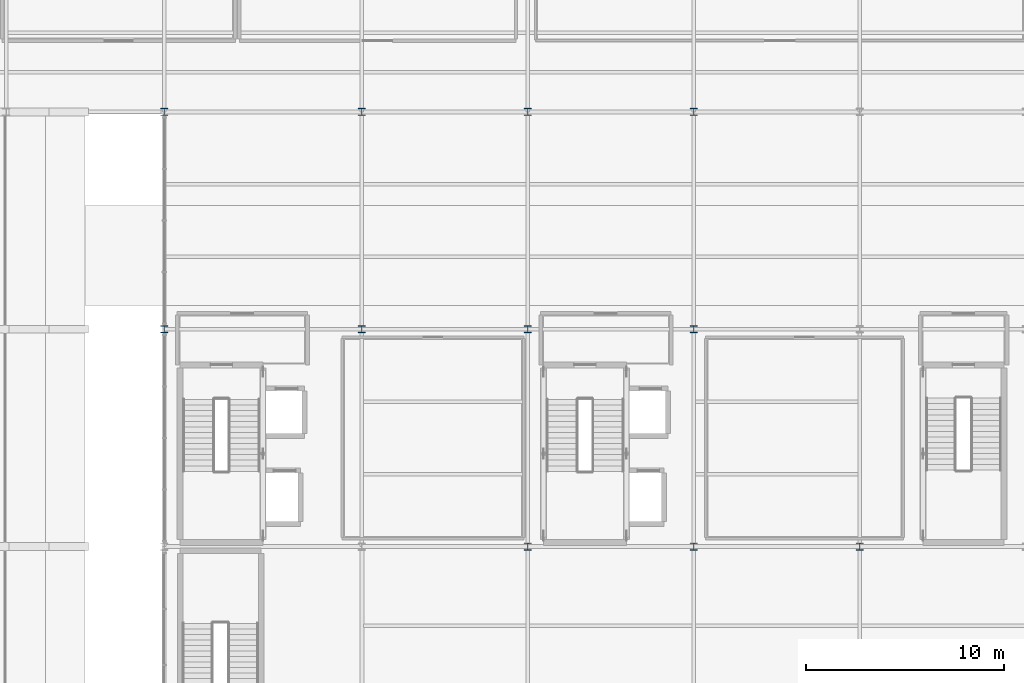
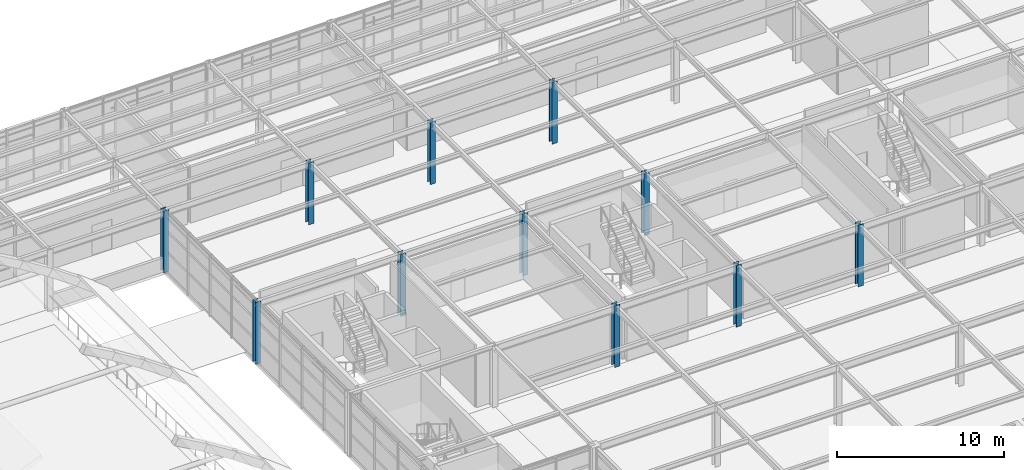
# One storey, part 9 of 82: 11 columns.
"""IFC4 building model written with IfcOpenShell, lengths in metres."""

import ifcopenshell
import ifcopenshell.guid

model = None  # the IFC model being written
_history = None  # IfcOwnerHistory: only IFC2X3 demands one
_inside = {}  # id of a spatial element -> (the spatial element, [elements in it])
_under = {}  # id of a project, library or spatial element -> (it, [spatial elements below it])
_declared = {}  # id of a project -> (the project, [libraries it declares])
_typed = {}  # id of a type object -> (the type object, [elements of that type])
_made_of = {}  # id of a material, layer set ... -> (it, [elements and type objects made of it])


def new_model(schema):
    """Start an empty IFC model of exactly this schema.

    Asked for "IFC4X3", IfcOpenShell would pick the latest addendum, in which some entities
    have other attributes; the version numbers below select the first issue.
    IFC2X3 requires an IfcOwnerHistory on every rooted entity: one is made here for all.
    """
    global model, _history
    if schema == "IFC4X3":
        model = ifcopenshell.file(schema_version=(4, 3, 0, 0))
    else:
        model = ifcopenshell.file(schema=schema)
    _inside.clear()
    _under.clear()
    _declared.clear()
    _typed.clear()
    _made_of.clear()
    _history = None
    if model.schema == "IFC2X3":
        org = make("IfcOrganization", Name="unknown")
        user = make(
            "IfcPersonAndOrganization",
            ThePerson=make("IfcPerson", FamilyName="unknown"),
            TheOrganization=org,
        )
        app = make(
            "IfcApplication",
            ApplicationDeveloper=org,
            Version="unknown",
            ApplicationFullName="unknown",
            ApplicationIdentifier="unknown",
        )
        _history = make(
            "IfcOwnerHistory",
            OwningUser=user,
            OwningApplication=app,
            ChangeAction="ADDED",
            CreationDate=0,
        )
    return model


def make(cls, **values):
    """One entity of the class cls with the attributes given. An attribute that is None is left unset."""
    return model.create_entity(
        cls, **{name: value for name, value in values.items() if value is not None}
    )


def rooted(cls, **values):
    """An entity with a GlobalId (a new one), such as an element, a storey or a relation."""
    return make(cls, GlobalId=ifcopenshell.guid.new(), OwnerHistory=_history, **values)


def si_unit(unit_type, name, prefix=None):
    """IfcSIUnit, for example si_unit("LENGTHUNIT", "METRE", prefix="MILLI")."""
    return make("IfcSIUnit", UnitType=unit_type, Prefix=prefix, Name=name)


def assignment(units):
    """IfcUnitAssignment: the units of a project."""
    return None if units is None else make("IfcUnitAssignment", Units=units)


def point(xyz):
    """IfcCartesianPoint."""
    return None if xyz is None else make("IfcCartesianPoint", Coordinates=xyz)


def direction(xyz):
    """IfcDirection."""
    return None if xyz is None else make("IfcDirection", DirectionRatios=xyz)


def frame(location, z_axis=None, x_axis=None):
    """IfcAxis2Placement3D, a coordinate frame: its origin and axes. An axis left out is left unset."""
    return make(
        "IfcAxis2Placement3D",
        Location=point(location),
        Axis=direction(z_axis),
        RefDirection=direction(x_axis),
    )


def frame_2d(location, x_axis=None):
    """IfcAxis2Placement2D, a coordinate frame in the plane: its origin and x axis."""
    return make(
        "IfcAxis2Placement2D", Location=point(location), RefDirection=direction(x_axis)
    )


def origin():
    """The frame at (0, 0, 0) with its axes left unset."""
    return frame((0.0, 0.0, 0.0))


def origin_2d():
    """The frame at (0, 0) in the plane with its x axis left unset."""
    return frame_2d((0.0, 0.0))


def place(relative_to, where):
    """IfcLocalPlacement: puts the frame where relative to a parent placement (None: the world)."""
    return make(
        "IfcLocalPlacement", PlacementRelTo=relative_to, RelativePlacement=where
    )


def context(
    kind, dimensions, precision=None, world=None, true_north=None, identifier=None
):
    """IfcGeometricRepresentationContext, for example the 3D "Model" context."""
    return make(
        "IfcGeometricRepresentationContext",
        ContextIdentifier=identifier,
        ContextType=kind,
        CoordinateSpaceDimension=dimensions,
        Precision=precision,
        WorldCoordinateSystem=world,
        TrueNorth=true_north,
    )


def subcontext(parent, identifier, kind, view, scale=None):
    """IfcGeometricRepresentationSubContext, for example "Body" below "Model"."""
    return make(
        "IfcGeometricRepresentationSubContext",
        ContextIdentifier=identifier,
        ContextType=kind,
        ParentContext=parent,
        TargetScale=scale,
        TargetView=view,
    )


def project(units=None, contexts=None):
    """IfcProject with its units and contexts."""
    return rooted(
        "IfcProject",
        Name="project",
        RepresentationContexts=contexts,
        UnitsInContext=assignment(units),
    )


def spatial(cls, under=None, at=None, **own):
    """A site, building, storey or space (cls), placed at a placement, below another one or the project."""
    s = rooted(cls, ObjectPlacement=at, **own)
    if under is not None:
        _under.setdefault(under.id(), (under, []))[1].append(s)
    return s


def profile(cls, at=None, kind="AREA", **sizes):
    """A parametric profile (cls). Its sizes go by their IFC names, for example OverallWidth=200.0."""
    return make(cls, ProfileType=kind, Position=at, **sizes)


def i_section(**sizes):
    """IfcIShapeProfileDef."""
    return profile("IfcIShapeProfileDef", **sizes)


def extrude(swept, where, along, depth):
    """IfcExtrudedAreaSolid: the profile swept, set in the frame where, extruded along a direction by depth."""
    return make(
        "IfcExtrudedAreaSolid",
        SweptArea=swept,
        Position=where,
        ExtrudedDirection=direction(along),
        Depth=depth,
    )


def shape(context_of_items, identifier, shape_type, items):
    """IfcShapeRepresentation: the items that make up one representation, for example the "Body"."""
    return make(
        "IfcShapeRepresentation",
        ContextOfItems=context_of_items,
        RepresentationIdentifier=identifier,
        RepresentationType=shape_type,
        Items=items,
    )


def material(Name=None, Category=None):
    """IfcMaterial."""
    return make("IfcMaterial", Name=Name, Category=Category)


def material_profile(
    of_material, cross_section, Name=None, Category=None, Priority=None
):
    """IfcMaterialProfile: a cross section and its material."""
    return make(
        "IfcMaterialProfile",
        Name=Name,
        Material=of_material,
        Profile=cross_section,
        Priority=Priority,
        Category=Category,
    )


def profile_set(profiles, Name=None, composite=None):
    """IfcMaterialProfileSet."""
    return make(
        "IfcMaterialProfileSet",
        Name=Name,
        MaterialProfiles=profiles,
        CompositeProfile=composite,
    )


def made_of(thing, what):
    """Note that an element or type object is made of a material, layer set ...; save() writes the relation."""
    if what is not None:
        _made_of.setdefault(what.id(), (what, []))[1].append(thing)
    return thing


def type_object(cls, material=None, **own):
    """A type object (cls), such as IfcWallType, which elements share."""
    return made_of(rooted(cls, **own), material)


def element(
    cls,
    number,
    at=None,
    inside=None,
    cuts=None,
    type_object=None,
    material=None,
    context=None,
    identifier="Body",
    shape_type=None,
    held_by="IfcProductDefinitionShape",
    body=None,
    shapes=None,
    **own,
):
    """One element of the class cls, such as IfcWall. Its Tag is "e" and its number.

    at: its placement. inside: the storey or other place that contains it. cuts: it is an
    opening in that element (IfcRelVoidsElement). A single representation is given by context,
    identifier, shape_type and body (its items); several are given by shapes. held_by: the class
    of the entity that holds the representations. save() writes the other relations.
    """
    e = rooted(cls, Tag="e%d" % number, ObjectPlacement=at, **own)
    if body is not None:
        shapes = [shape(context, identifier, shape_type, body)]
    if shapes is not None:
        e.Representation = make(held_by, Representations=shapes)
    if inside is not None:
        _inside.setdefault(inside.id(), (inside, []))[1].append(e)
    if cuts is not None:
        rooted(
            "IfcRelVoidsElement", RelatingBuildingElement=cuts, RelatedOpeningElement=e
        )
    if type_object is not None:
        _typed.setdefault(type_object.id(), (type_object, []))[1].append(e)
    return made_of(e, material)


def aggregate(whole, parts):
    """IfcRelAggregates: a whole, such as a stair, and the parts it consists of."""
    return rooted("IfcRelAggregates", RelatingObject=whole, RelatedObjects=parts)


def save(model, path):
    """Write the relations noted so far, then the file.

    IfcRelAggregates (storeys below a building ...), IfcRelContainedInSpatialStructure (elements
    in a storey), IfcRelDefinesByType, IfcRelAssociatesMaterial and IfcRelDeclares: one each for
    every whole, place, type object, material and project.
    """
    for whole, parts in _under.values():
        aggregate(whole, parts)
    for where, things in _inside.values():
        rooted(
            "IfcRelContainedInSpatialStructure",
            RelatedElements=things,
            RelatingStructure=where,
        )
    for kind, things in _typed.values():
        rooted("IfcRelDefinesByType", RelatedObjects=things, RelatingType=kind)
    for what, things in _made_of.values():
        rooted("IfcRelAssociatesMaterial", RelatedObjects=things, RelatingMaterial=what)
    for by, libraries in _declared.values():
        rooted("IfcRelDeclares", RelatingContext=by, RelatedDefinitions=libraries)
    model.write(path)


model = new_model("IFC4")

# Units and contexts
model_context = context("Model", 3, precision=1e-05, world=origin(), true_north=direction((0.0, 1.0)))
body_context = subcontext(model_context, "Body", "Model", "MODEL_VIEW")
ifc_project = project(units=[si_unit("LENGTHUNIT", "METRE"), si_unit("AREAUNIT", "SQUARE_METRE"), si_unit("VOLUMEUNIT", "CUBIC_METRE"), si_unit("PLANEANGLEUNIT", "RADIAN"), si_unit("MASSUNIT", "GRAM", prefix="KILO")], contexts=[model_context])

# Site, building, storey
site_placement = place(None, origin())
site = spatial("IfcSite", under=ifc_project, at=site_placement, CompositionType="ELEMENT")
building_placement = place(site_placement, origin())
building = spatial("IfcBuilding", under=site, at=building_placement, Name="Sitalva Quay Ferry Terminal", CompositionType="ELEMENT")
storey_placement = place(building_placement, frame((0.0, 0.0, 5.39990234375)))
storey = spatial("IfcBuildingStorey", under=building, at=storey_placement, Name="L02", CompositionType="ELEMENT", Elevation=5.39990234375)

# Columns
ifc_material = material(Name="Structural Steel S355JR", Category="steel")
ifc_material_profile = material_profile(ifc_material, i_section(OverallWidth=0.368896484375, OverallDepth=0.35595703125, WebThickness=0.01123046875, FlangeThickness=0.01806640625, FilletRadius=0.014892578125, at=origin_2d()), Name="W360x134")
ifc_profile_set = profile_set([ifc_material_profile], Name="Structural Steel S355JR")
column_type = type_object("IfcColumnType", Name="Col_W360x134", PredefinedType="COLUMN", material=ifc_profile_set)
for number, where, z_axis, x_axis, name in (
    (1, (92.39990234375, 78.0, 0.0), (0.0, 0.0, 1.0), (1.0, 0.0, 0.0), "L02 column 12J"),
    (2, (100.800048828125, 78.0, 0.0), (0.0, 0.0, 1.0), (1.0, 0.0, 0.0), "L02 column 13J"),
    (3, (109.199951171875, 78.0, 0.0), (0.0, 0.0, 1.0), (1.0, 0.0, 0.0), "L02 column 14J"),
    (4, (74.0, 89.0, 0.0), (0.0, 0.0, 1.0), (1.0, 0.0, 0.0), "L02 column 10K"),
    (5, (84.0, 89.0, 0.0), (0.0, 0.0, 1.0), (1.0, 0.0, 0.0), "L02 column 11K"),
    (6, (92.39990234375, 89.0, 0.0), (0.0, 0.0, 1.0), (1.0, 0.0, 0.0), "L02 column 12K"),
    (7, (100.800048828125, 89.0, 0.0), (0.0, 0.0, 1.0), (1.0, 0.0, 0.0), "L02 column 13K"),
    (8, (74.0, 100.0, 0.0), (0.0, 0.0, 1.0), (1.0, 0.0, 0.0), "L02 column 10L"),
    (9, (84.0, 100.0, 0.0), (0.0, 0.0, 1.0), (1.0, 0.0, 0.0), "L02 column 11L"),
    (10, (92.39990234375, 100.0, 0.0), (0.0, 0.0, 1.0), (1.0, 0.0, 0.0), "L02 column 12L"),
    (11, (100.800048828125, 100.0, 0.0), (0.0, 0.0, 1.0), (1.0, 0.0, 0.0), "L02 column 13L"),
):
    element("IfcColumn", number, at=place(storey_placement, frame(where, z_axis=z_axis, x_axis=x_axis)), inside=storey, type_object=column_type, Name=name, PredefinedType="COLUMN", context=body_context, shape_type="SweptSolid", body=[
        extrude(i_section(OverallWidth=0.368896484375, OverallDepth=0.35595703125, WebThickness=0.01123046875, FlangeThickness=0.01806640625, FilletRadius=0.014892578125, at=origin_2d()), origin(), (0.0, 0.0, 1.0), 4.5),
    ])

save(model, "model.ifc")
